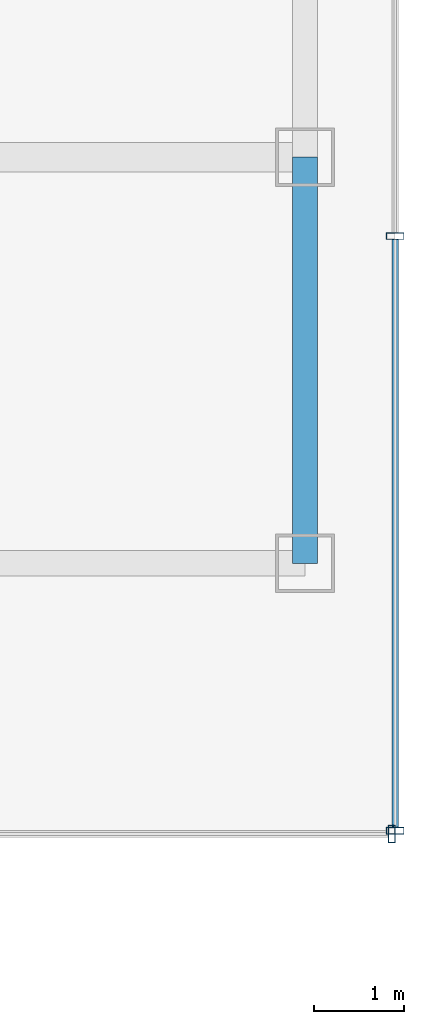
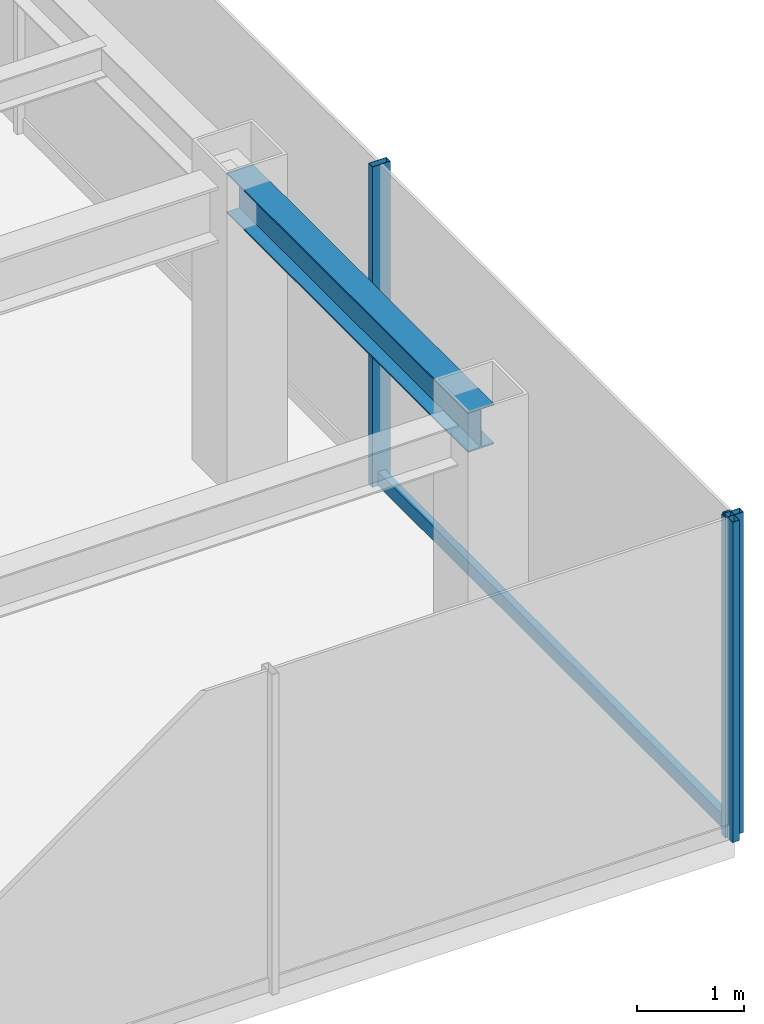
# One storey, part 11 of 25: 4 members, 1 beam, 2 elements without a shape of their own.
"""IFC4 building model written with IfcOpenShell, lengths in metres."""

from ifc_helpers import new_model, si_unit, derived_unit, direction, frame, origin, origin_2d, place, context, subcontext, project, spatial, hollow_rectangle, i_section, extrude, source, transform, mapped, material, material_profile, profile_set, type_object, element, aggregate, save


model = new_model("IFC4")

# Units and contexts
model_context = context("Model", 3, precision=1e-05, world=origin(), true_north=direction((0.0, 1.0)))
body_context = subcontext(model_context, "Body", "Model", "MODEL_VIEW")
ifc_project = project(units=[si_unit("LENGTHUNIT", "METRE"), si_unit("AREAUNIT", "SQUARE_METRE"), si_unit("VOLUMEUNIT", "CUBIC_METRE"), si_unit("PLANEANGLEUNIT", "RADIAN"), si_unit("MASSUNIT", "GRAM", prefix="KILO"), derived_unit("THERMALTRANSMITTANCEUNIT", [(si_unit("POWERUNIT", "WATT"), 1), (si_unit("LENGTHUNIT", "METRE"), -2), (si_unit("THERMODYNAMICTEMPERATUREUNIT", "KELVIN"), -1)])], contexts=[model_context])

# Site, building, storey
site_placement = place(None, origin())
site = spatial("IfcSite", under=ifc_project, at=site_placement, CompositionType="ELEMENT")
building_placement = place(site_placement, origin())
building = spatial("IfcBuilding", under=site, at=building_placement, Name="Skarnbrae Concourse Arena and Tower", CompositionType="ELEMENT")
storey_placement = place(building_placement, frame((0.0, 0.0, 177.10009765625)))
storey = spatial("IfcBuildingStorey", under=building, at=storey_placement, Name="L45", CompositionType="ELEMENT", Elevation=177.10009765625)

# Beam
ifc_material_1 = material(Name="Steel CSA G40.21 350W", Category="steel")
ifc_material_profile_1 = material_profile(ifc_material_1, i_section(OverallWidth=0.280029296875, OverallDepth=0.462890625, WebThickness=0.0107421875, FlangeThickness=0.017333984375, at=origin_2d()), Name="W460X113")
ifc_profile_set_1 = profile_set([ifc_material_profile_1], Name="Steel CSA G40.21 350W")
beam_type = type_object("IfcBeamType", Name="BM-SPAN-W460X113", PredefinedType="SPANDREL", material=ifc_profile_set_1)
shared_shape_1 = source(origin(), body_context, "Body", "SweptSolid", [
    extrude(i_section(OverallWidth=0.280029296875, OverallDepth=0.462890625, WebThickness=0.0107421875, FlangeThickness=0.017333984375, at=origin_2d()), origin(), (0.0, 0.0, 1.0), 4.5),
])
beam_placement = place(storey_placement, frame((49.0, 9.5, 3.16845703125), z_axis=(0.0, 1.0, 0.0), x_axis=(-1.0, 0.0, 0.0)))
element("IfcBeam", 1, at=beam_placement, inside=storey, type_object=beam_type, Name="L45 Perimeter spandrel X49.0-1", PredefinedType="SPANDREL", context=body_context, shape_type="MappedRepresentation", body=[
    mapped(shared_shape_1, transform((0.0, 0.0, 0.0))),
])

# Curtain wall, member
ifc_material_2 = material(Name="Bronze anodised aluminium 6063-T6", Category="aluminium")
curtain_wall_type = type_object("IfcCurtainWallType", Name="CW-SYS-04-MIDZONE", PredefinedType="USERDEFINED", material=ifc_material_2)
curtain_wall_1_placement = place(storey_placement, origin())
curtain_wall_1 = element("IfcCurtainWall", 2, at=curtain_wall_1_placement, inside=storey, type_object=curtain_wall_type, Name="L45 Unitised curtain wall CW-L45-E03", ObjectType="UNITISED CURTAIN WALL", PredefinedType="USERDEFINED")
ifc_material_profile_2 = material_profile(ifc_material_2, hollow_rectangle(XDim=0.074951171875, YDim=0.195068359375, WallThickness=0.00439453125, at=origin_2d()), Name="ALU-MULL-75X195")
ifc_profile_set_2 = profile_set([ifc_material_profile_2], Name="Bronze anodised aluminium 6063-T6")
member_type_1 = type_object("IfcMemberType", Name="CWM-CW-04", PredefinedType="MULLION", material=ifc_profile_set_2)
shared_shape_2 = source(origin(), body_context, "Body", "SweptSolid", [
    extrude(hollow_rectangle(XDim=0.074951171875, YDim=0.195068359375, WallThickness=0.00439453125, at=origin_2d()), origin(), (0.0, 0.0, 1.0), 3.64990234375),
])
member_1_placement = place(storey_placement, frame((49.96240234375, 6.5, 0.0), z_axis=(0.0, 0.0, 1.0), x_axis=(1.0, 0.0, 0.0)))
member_1 = element("IfcMember", 3, at=member_1_placement, type_object=member_type_1, Name="CW-L45-E03 Mullion 3", PredefinedType="MULLION", context=body_context, shape_type="MappedRepresentation", body=[
    mapped(shared_shape_2, transform((0.0, 0.0, 0.0))),
])
aggregate(curtain_wall_1, [member_1])

# Curtain wall, members
curtain_wall_2_placement = place(storey_placement, origin())
curtain_wall_2 = element("IfcCurtainWall", 4, at=curtain_wall_2_placement, inside=storey, type_object=curtain_wall_type, Name="L45 Unitised curtain wall CW-L45-E04", ObjectType="UNITISED CURTAIN WALL", PredefinedType="USERDEFINED")
member_2_placement = place(storey_placement, frame((50.0, 6.53759765625, 0.0), z_axis=(0.0, 0.0, 1.0), x_axis=(0.0, 1.0, 0.0)))
member_2 = element("IfcMember", 5, at=member_2_placement, type_object=member_type_1, Name="CW-L45-E04 Mullion 1", PredefinedType="MULLION", context=body_context, shape_type="MappedRepresentation", body=[
    mapped(shared_shape_2, transform((0.0, 0.0, 0.0))),
])
member_3_placement = place(storey_placement, frame((50.0, 13.125, 0.0), z_axis=(0.0, 0.0, 1.0), x_axis=(0.0, 1.0, 0.0)))
member_3 = element("IfcMember", 6, at=member_3_placement, type_object=member_type_1, Name="CW-L45-E04 Mullion 2", PredefinedType="MULLION", context=body_context, shape_type="MappedRepresentation", body=[
    mapped(shared_shape_2, transform((0.0, 0.0, 0.0))),
])
ifc_material_profile_3 = material_profile(ifc_material_2, hollow_rectangle(XDim=0.074951171875, YDim=0.159912109375, WallThickness=0.00439453125, at=origin_2d()), Name="ALU-TRAN-75X160")
ifc_profile_set_3 = profile_set([ifc_material_profile_3], Name="Bronze anodised aluminium 6063-T6")
member_type_2 = type_object("IfcMemberType", Name="CWT-CW-04", PredefinedType="USERDEFINED", material=ifc_profile_set_3)
shared_shape_3 = source(origin(), body_context, "Body", "SweptSolid", [
    extrude(hollow_rectangle(XDim=0.074951171875, YDim=0.159912109375, WallThickness=0.00439453125, at=origin_2d()), origin(), (0.0, 0.0, 1.0), 6.512451171875),
])
member_4_placement = place(storey_placement, frame((50.0, 6.574951171875, 0.079833984375), z_axis=(0.0, 1.0, 0.0), x_axis=(-1.0, 0.0, 0.0)))
member_4 = element("IfcMember", 7, at=member_4_placement, type_object=member_type_2, Name="CW-L45-E04 Transom 1", ObjectType="TRANSOM", PredefinedType="USERDEFINED", context=body_context, shape_type="MappedRepresentation", body=[
    mapped(shared_shape_3, transform((0.0, 0.0, 0.0))),
])
aggregate(curtain_wall_2, [member_2, member_3, member_4])

save(model, "model.ifc")
